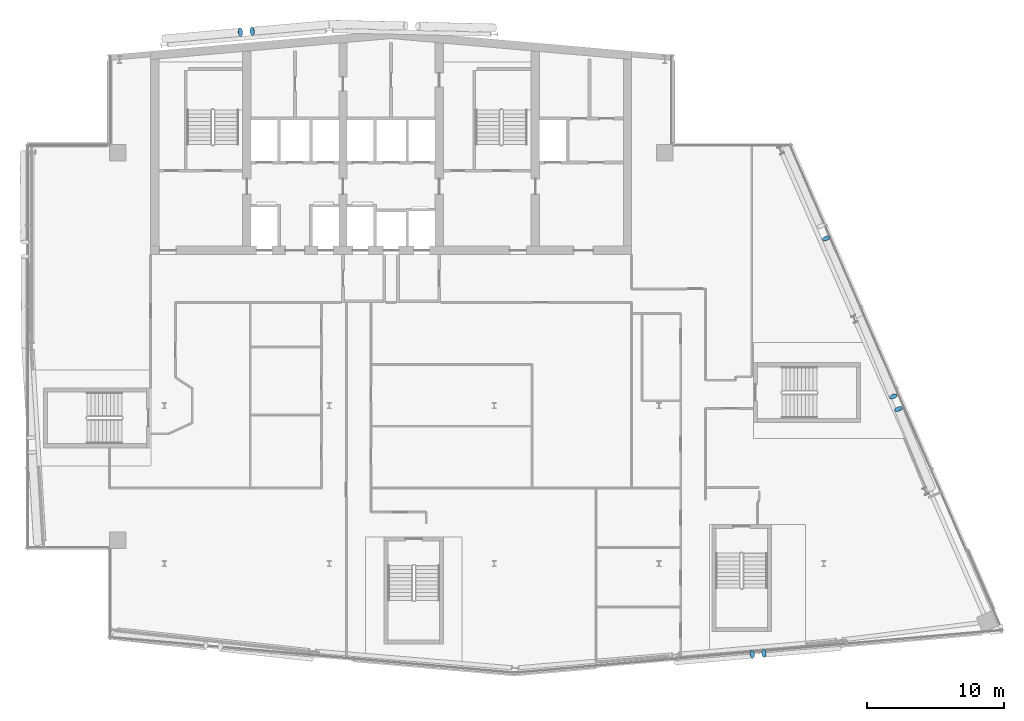
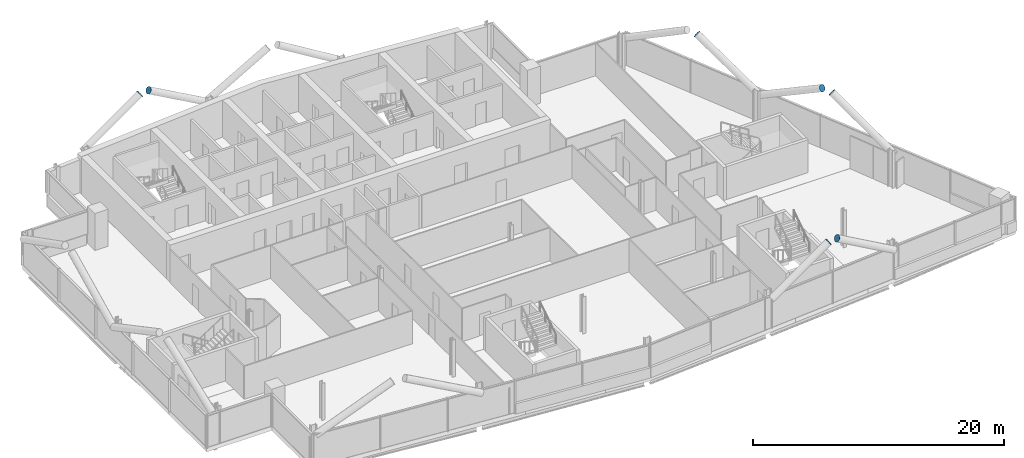
# One storey, part 21 of 25: 7 discrete accessories.
"""IFC4 building model written with IfcOpenShell, lengths in metres."""

from ifc_helpers import new_model, si_unit, direction, frame, origin, origin_2d, place, context, subcontext, project, spatial, circle, extrude, material, material_profile, profile_set, type_object, element, save


model = new_model("IFC4")

# Units and contexts
model_context = context("Model", 3, precision=1e-05, world=origin(), true_north=direction((0.0, 1.0)))
body_context = subcontext(model_context, "Body", "Model", "MODEL_VIEW")
ifc_project = project(units=[si_unit("LENGTHUNIT", "METRE"), si_unit("AREAUNIT", "SQUARE_METRE"), si_unit("VOLUMEUNIT", "CUBIC_METRE"), si_unit("PLANEANGLEUNIT", "RADIAN"), si_unit("MASSUNIT", "GRAM", prefix="KILO")], contexts=[model_context])

# Site, building, storey
site_placement = place(None, origin())
site = spatial("IfcSite", under=ifc_project, at=site_placement, CompositionType="ELEMENT")
building_placement = place(site_placement, origin())
building = spatial("IfcBuilding", under=site, at=building_placement, Name="Wharfspan Tower", CompositionType="ELEMENT")
storey_placement = place(building_placement, frame((0.0, 0.0, 225.100098)))
storey = spatial("IfcBuildingStorey", under=building, at=storey_placement, Name="L56", CompositionType="ELEMENT", Elevation=225.100098)

# Discrete accessories
ifc_material = material(Name="Steel S460NH", Category="steel")
ifc_material_profile = material_profile(ifc_material, circle(Radius=0.304932, at=origin_2d()))
ifc_profile_set = profile_set([ifc_material_profile], Name="Steel S460NH")
discrete_accessory_type = type_object("IfcDiscreteAccessoryType", Name="End plate CHS 610x25", PredefinedType="BRACKET", material=ifc_profile_set)
for number, where, z_axis, x_axis, name in (
    (1, (66.778564, 4.9104, 6.240479), (0.855186, 0.073302, 0.513112), (-0.085402, 0.996345, 1e-06), "End plate CHS 610x25"),
    (2, (67.638428, 4.985596, 6.240479), (-0.855186, -0.073302, 0.513112), (0.085402, -0.996345, 1e-06), "End plate CHS 610x25"),
):
    element("IfcDiscreteAccessory", number, at=place(storey_placement, frame(where, z_axis=z_axis, x_axis=x_axis)), inside=storey, type_object=discrete_accessory_type, Name=name, PredefinedType="BRACKET", context=body_context, shape_type="SweptSolid", body=[
        extrude(circle(Radius=0.304932, at=origin_2d()), origin(), (0.0, 0.0, 1.0), 0.01001),
    ])
discrete_accessory_placement = place(storey_placement, frame((77.431885, 22.744141, 6.232422), z_axis=(-0.313003, 0.818624, 0.481543), x_axis=(-0.934053, -0.357137, -1e-06)))
element("IfcDiscreteAccessory", 3, at=discrete_accessory_placement, inside=storey, type_object=discrete_accessory_type, Name="End plate CHS 610x25", PredefinedType="BRACKET", context=body_context, shape_type="SweptSolid", body=[
    extrude(circle(Radius=0.304932, at=origin_2d()), origin(), (0.0, 0.0, 1.0), 0.010254),
])
for number, where, z_axis, x_axis, name in (
    (4, (77.047607, 23.675049, 6.232422), (0.341058, -0.803922, 0.487226), (0.920584, 0.390551, 0.0), "End plate CHS 610x25"),
    (5, (72.16748, 35.160156, 6.233154), (-0.362315, 0.797092, 0.483086), (-0.910369, -0.413804, -1e-06), "End plate CHS 610x25"),
    (6, (29.527588, 50.172119, 6.23999), (0.855186, 0.073302, 0.513112), (-0.085402, 0.996345, 1e-06), "End plate CHS 610x25"),
    (7, (30.393555, 50.248047, 6.23999), (-0.855186, -0.073302, 0.513112), (0.085402, -0.996345, 1e-06), "End plate CHS 610x25"),
):
    element("IfcDiscreteAccessory", number, at=place(storey_placement, frame(where, z_axis=z_axis, x_axis=x_axis)), inside=storey, type_object=discrete_accessory_type, Name=name, PredefinedType="BRACKET", context=body_context, shape_type="SweptSolid", body=[
        extrude(circle(Radius=0.304932, at=origin_2d()), origin(), (0.0, 0.0, 1.0), 0.01001),
    ])

save(model, "model.ifc")
